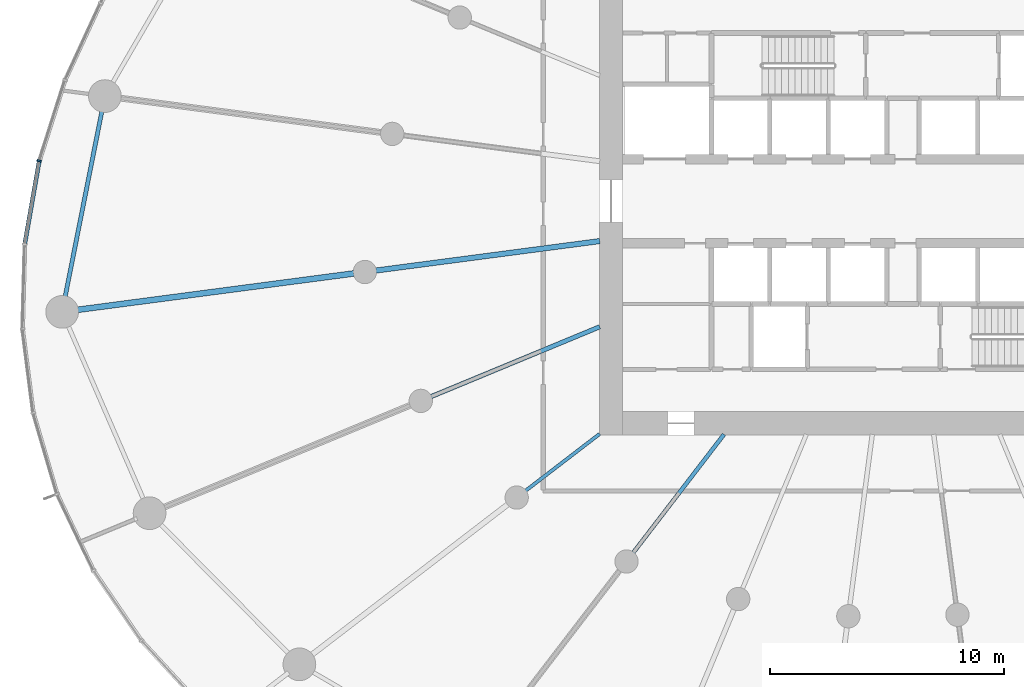
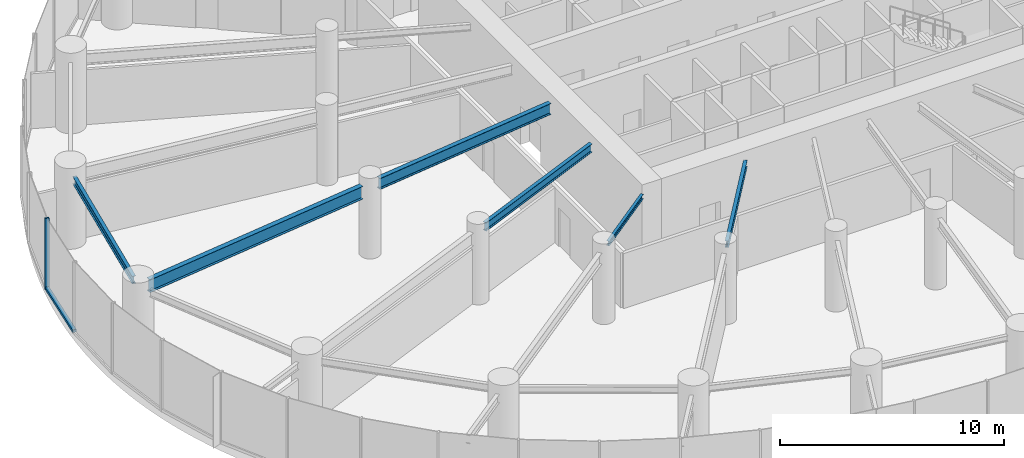
# One storey, part 3 of 18: 6 beams, 2 members, 1 element without a shape of its own.
"""IFC4 building model written with IfcOpenShell, lengths in metres."""

from ifc_helpers import new_model, si_unit, direction, frame, origin, origin_2d, place, context, subcontext, project, spatial, rectangle, i_section, extrude, source, transform, mapped, material, layer, layer_set, material_profile, profile_set, type_object, element, aggregate, save


model = new_model("IFC4")

# Units and contexts
model_context = context("Model", 3, precision=1e-05, world=origin(), true_north=direction((0.0, 1.0)))
body_context = subcontext(model_context, "Body", "Model", "MODEL_VIEW")
ifc_project = project(units=[si_unit("LENGTHUNIT", "METRE"), si_unit("AREAUNIT", "SQUARE_METRE"), si_unit("VOLUMEUNIT", "CUBIC_METRE"), si_unit("PLANEANGLEUNIT", "RADIAN"), si_unit("MASSUNIT", "GRAM", prefix="KILO")], contexts=[model_context])

# Site, building, storey
site_placement = place(None, origin())
site = spatial("IfcSite", under=ifc_project, at=site_placement, CompositionType="ELEMENT")
building_placement = place(site_placement, origin())
building = spatial("IfcBuilding", under=site, at=building_placement, Name="Spindrift Exchange Tower", CompositionType="ELEMENT")
storey_placement = place(building_placement, frame((0.0, 0.0, 71.0)))
storey = spatial("IfcBuildingStorey", under=building, at=storey_placement, Name="L16", CompositionType="ELEMENT", Elevation=71.0)

# Beams
ifc_material_1 = material(Name="Steel Grade 300", Category="steel")
ifc_material_profile_1 = material_profile(ifc_material_1, i_section(OverallWidth=0.22802734375, OverallDepth=0.60693359375, WebThickness=0.01123046875, FlangeThickness=0.017333984375, FilletRadius=0.013916015625, at=origin_2d()), Name="610UB113")
ifc_profile_set_1 = profile_set([ifc_material_profile_1], Name="Steel Grade 300")
beam_type_1 = type_object("IfcBeamType", Name="Floor Beam 610UB113 Steel Grade 300", PredefinedType="BEAM", material=ifc_profile_set_1)
shared_shape_1 = source(origin(), body_context, "Body", "SweptSolid", [
    extrude(i_section(OverallWidth=0.22802734375, OverallDepth=0.60693359375, WebThickness=0.01123046875, FlangeThickness=0.017333984375, FilletRadius=0.013916015625, at=origin_2d()), origin(), (0.0, 0.0, 1.0), 9.660400390625),
])
beam_1_placement = place(storey_placement, frame((39.019775390625, 46.291015625, 3.596435546875), z_axis=(-0.99144767089, -0.130504850054, 0.0), x_axis=(0.130504850054, -0.99144767089, 0.0)))
element("IfcBeam", 1, at=beam_1_placement, inside=storey, type_object=beam_type_1, Name="L16 radial beam R13A", PredefinedType="BEAM", context=body_context, shape_type="MappedRepresentation", body=[
    mapped(shared_shape_1, transform((0.0, 0.0, 0.0), scale=1.0)),
])
ifc_material_profile_2 = material_profile(ifc_material_1, i_section(OverallWidth=0.25, OverallDepth=0.699951171875, WebThickness=0.008056640625, FlangeThickness=0.011962890625, at=origin_2d()), Name="700WB115")
ifc_profile_set_2 = profile_set([ifc_material_profile_2], Name="Steel Grade 300")
beam_type_2 = type_object("IfcBeamType", Name="Floor Beam 700WB115 Steel Grade 300", PredefinedType="BEAM", material=ifc_profile_set_2)
shared_shape_2 = source(origin(), body_context, "Body", "SweptSolid", [
    extrude(i_section(OverallWidth=0.25, OverallDepth=0.699951171875, WebThickness=0.008056640625, FlangeThickness=0.011962890625, at=origin_2d()), origin(), (0.0, 0.0, 1.0), 12.00830078125),
])
beam_2_placement = place(storey_placement, frame((28.490234375, 44.90478515625, 3.550048828125), z_axis=(-0.991444950947, -0.130525511844, 0.0), x_axis=(0.130525511844, -0.991444950947, 0.0)))
element("IfcBeam", 2, at=beam_2_placement, inside=storey, type_object=beam_type_2, Name="L16 radial beam R13B", PredefinedType="BEAM", context=body_context, shape_type="MappedRepresentation", body=[
    mapped(shared_shape_2, transform((0.0, 0.0, 0.0), scale=1.0)),
])
ifc_material_profile_3 = material_profile(ifc_material_1, i_section(OverallWidth=0.18994140625, OverallDepth=0.45703125, WebThickness=0.009033203125, FlangeThickness=0.014404296875, FilletRadius=0.013916015625, at=origin_2d()), Name="460UB74.6")
ifc_profile_set_3 = profile_set([ifc_material_profile_3], Name="Steel Grade 300")
beam_type_3 = type_object("IfcBeamType", Name="Floor Beam 460UB74.6 Steel Grade 300", PredefinedType="BEAM", material=ifc_profile_set_3)
shared_shape_3 = source(origin(), body_context, "Body", "SweptSolid", [
    extrude(i_section(OverallWidth=0.18994140625, OverallDepth=0.45703125, WebThickness=0.009033203125, FlangeThickness=0.014404296875, FilletRadius=0.013916015625, at=origin_2d()), origin(), (0.0, 0.0, 1.0), 7.808837890625),
])
beam_3_placement = place(storey_placement, frame((39.0185546875, 42.622802734375, 3.67138671875), z_axis=(-0.92387965154, -0.382683145003, 0.0), x_axis=(0.382683145003, -0.92387965154, 0.0)))
element("IfcBeam", 3, at=beam_3_placement, inside=storey, type_object=beam_type_3, Name="L16 radial beam R14A", PredefinedType="BEAM", context=body_context, shape_type="MappedRepresentation", body=[
    mapped(shared_shape_3, transform((0.0, 0.0, 0.0), scale=1.0)),
])
ifc_material_profile_4 = material_profile(ifc_material_1, i_section(OverallWidth=0.14599609375, OverallDepth=0.251953125, WebThickness=0.006103515625, FlangeThickness=0.008544921875, FilletRadius=0.011962890625, at=origin_2d()), Name="250UB31.4")
ifc_profile_set_4 = profile_set([ifc_material_profile_4], Name="Steel Grade 300")
beam_type_4 = type_object("IfcBeamType", Name="Floor Beam 250UB31.4 Steel Grade 300", PredefinedType="BEAM", material=ifc_profile_set_4)
shared_shape_4 = source(origin(), body_context, "Body", "SweptSolid", [
    extrude(i_section(OverallWidth=0.14599609375, OverallDepth=0.251953125, WebThickness=0.006103515625, FlangeThickness=0.008544921875, FilletRadius=0.011962890625, at=origin_2d()), origin(), (0.0, 0.0, 1.0), 3.99560546875),
])
beam_4_placement = place(storey_placement, frame((39.015869140625, 38.036865234375, 3.77392578125), z_axis=(-0.793352561574, -0.608762443851, 0.0), x_axis=(0.608762443851, -0.793352561574, 0.0)))
element("IfcBeam", 4, at=beam_4_placement, inside=storey, type_object=beam_type_4, Name="L16 radial beam R15A", PredefinedType="BEAM", context=body_context, shape_type="MappedRepresentation", body=[
    mapped(shared_shape_4, transform((0.0, 0.0, 0.0), scale=1.0)),
])
ifc_material_profile_5 = material_profile(ifc_material_1, i_section(OverallWidth=0.172119140625, OverallDepth=0.35888671875, WebThickness=0.008056640625, FlangeThickness=0.012939453125, FilletRadius=0.013916015625, at=origin_2d()), Name="360UB56.7")
ifc_profile_set_5 = profile_set([ifc_material_profile_5], Name="Steel Grade 300")
beam_type_5 = type_object("IfcBeamType", Name="Floor Beam 360UB56.7 Steel Grade 300", PredefinedType="BEAM", material=ifc_profile_set_5)
shared_shape_5 = source(origin(), body_context, "Body", "SweptSolid", [
    extrude(i_section(OverallWidth=0.172119140625, OverallDepth=0.35888671875, WebThickness=0.008056640625, FlangeThickness=0.012939453125, FilletRadius=0.013916015625, at=origin_2d()), origin(), (0.0, 0.0, 1.0), 6.37646484375),
])
beam_5_placement = place(storey_placement, frame((44.3388671875, 38.015869140625, 3.720458984375), z_axis=(-0.608766669952, -0.793349318747, 0.0), x_axis=(0.793349318747, -0.608766669952, 0.0)))
element("IfcBeam", 5, at=beam_5_placement, inside=storey, type_object=beam_type_5, Name="L16 radial beam R16A", PredefinedType="BEAM", context=body_context, shape_type="MappedRepresentation", body=[
    mapped(shared_shape_5, transform((0.0, 0.0, 0.0), scale=1.0)),
])
ifc_material_profile_6 = material_profile(ifc_material_1, i_section(OverallWidth=0.177978515625, OverallDepth=0.406005859375, WebThickness=0.0078125, FlangeThickness=0.0126953125, FilletRadius=0.013916015625, at=origin_2d()), Name="410UB59.7")
ifc_profile_set_6 = profile_set([ifc_material_profile_6], Name="Steel Grade 300")
beam_type_6 = type_object("IfcBeamType", Name="Edge Beam 410UB59.7 Steel Grade 300", PredefinedType="SPANDREL", material=ifc_profile_set_6)
shared_shape_6 = source(origin(), body_context, "Body", "SweptSolid", [
    extrude(i_section(OverallWidth=0.177978515625, OverallDepth=0.406005859375, WebThickness=0.0078125, FlangeThickness=0.0126953125, FilletRadius=0.013916015625, at=origin_2d()), origin(), (0.0, 0.0, 1.0), 8.2548828125),
])
beam_6_placement = place(storey_placement, frame((17.72607421875, 51.928466796875, 3.697021484375), z_axis=(-0.194278723288, -0.9809463684, 0.0), x_axis=(0.9809463684, -0.194278723288, 0.0)))
element("IfcBeam", 6, at=beam_6_placement, inside=storey, type_object=beam_type_6, Name="L16 edge beam E12", PredefinedType="SPANDREL", context=body_context, shape_type="MappedRepresentation", body=[
    mapped(shared_shape_6, transform((0.0, 0.0, 0.0), scale=1.0)),
])

# Curtain wall, members
ifc_material_2 = material(Name="Fritted laminated glass with bronze frame", Category="glass")
ifc_layer = layer(ifc_material_2, 0.199951171875)
ifc_layer_set = layer_set([ifc_layer], Name="ZONE 1 BRONZE FRITTED WALL")
curtain_wall_type = type_object("IfcCurtainWallType", Name="ZONE 1 BRONZE FRITTED WALL", PredefinedType="NOTDEFINED", material=ifc_layer_set)
curtain_wall_placement = place(storey_placement, origin())
curtain_wall = element("IfcCurtainWall", 7, at=curtain_wall_placement, inside=storey, type_object=curtain_wall_type, Name="L16 Zone 1 Bronze Fritted Wall run 5", PredefinedType="NOTDEFINED")
ifc_material_3 = material(Name="Bronze anodised aluminium", Category="aluminium")
ifc_material_profile_7 = material_profile(ifc_material_3, rectangle(XDim=0.179931640625, YDim=0.14990234375, at=origin_2d()), Name="ZONE 1 BRONZE FRITTED WALL TRANSOM 180X150")
ifc_profile_set_7 = profile_set([ifc_material_profile_7], Name="Bronze anodised aluminium")
member_type_1 = type_object("IfcMemberType", Name="ZONE 1 BRONZE FRITTED WALL TRANSOM 180X150", PredefinedType="USERDEFINED", material=ifc_profile_set_7)
shared_shape_7 = source(origin(), body_context, "Body", "SweptSolid", [
    extrude(rectangle(XDim=0.179931640625, YDim=0.14990234375, at=origin_2d()), origin(), (0.0, 0.0, 1.0), 3.545166015625),
])
member_1_placement = place(storey_placement, frame((15.021484375, 49.685302734375, 0.074951171875), z_axis=(-0.172021177401, -0.98509325169, 0.0), x_axis=(0.98509325169, -0.172021177401, 0.0)))
member_1 = element("IfcMember", 8, at=member_1_placement, type_object=member_type_1, Name="L16 transom CW-1.27", ObjectType="TRANSOM", PredefinedType="USERDEFINED", context=body_context, shape_type="MappedRepresentation", body=[
    mapped(shared_shape_7, transform((0.0, 0.0, 0.0), scale=1.0)),
])
ifc_material_profile_8 = material_profile(ifc_material_3, rectangle(XDim=0.080078125, YDim=0.199951171875, at=origin_2d()), Name="ZONE 1 BRONZE FRITTED WALL MULLION 80X200")
ifc_profile_set_8 = profile_set([ifc_material_profile_8], Name="Bronze anodised aluminium")
member_type_2 = type_object("IfcMemberType", Name="ZONE 1 BRONZE FRITTED WALL MULLION 80X200", PredefinedType="MULLION", material=ifc_profile_set_8)
shared_shape_8 = source(origin(), body_context, "Body", "SweptSolid", [
    extrude(rectangle(XDim=0.080078125, YDim=0.199951171875, at=origin_2d()), origin(), (0.0, 0.0, 1.0), 3.89990234375),
])
member_2_placement = place(storey_placement, frame((15.0283203125, 49.724609375, 0.0), z_axis=(0.0, 0.0, 1.0), x_axis=(-0.238350414386, -0.97117922134, 0.0)))
member_2 = element("IfcMember", 9, at=member_2_placement, type_object=member_type_2, Name="L16 mullion CW-1.27", PredefinedType="MULLION", context=body_context, shape_type="MappedRepresentation", body=[
    mapped(shared_shape_8, transform((0.0, 0.0, 0.0), scale=1.0)),
])
aggregate(curtain_wall, [member_2, member_1])

save(model, "model.ifc")
